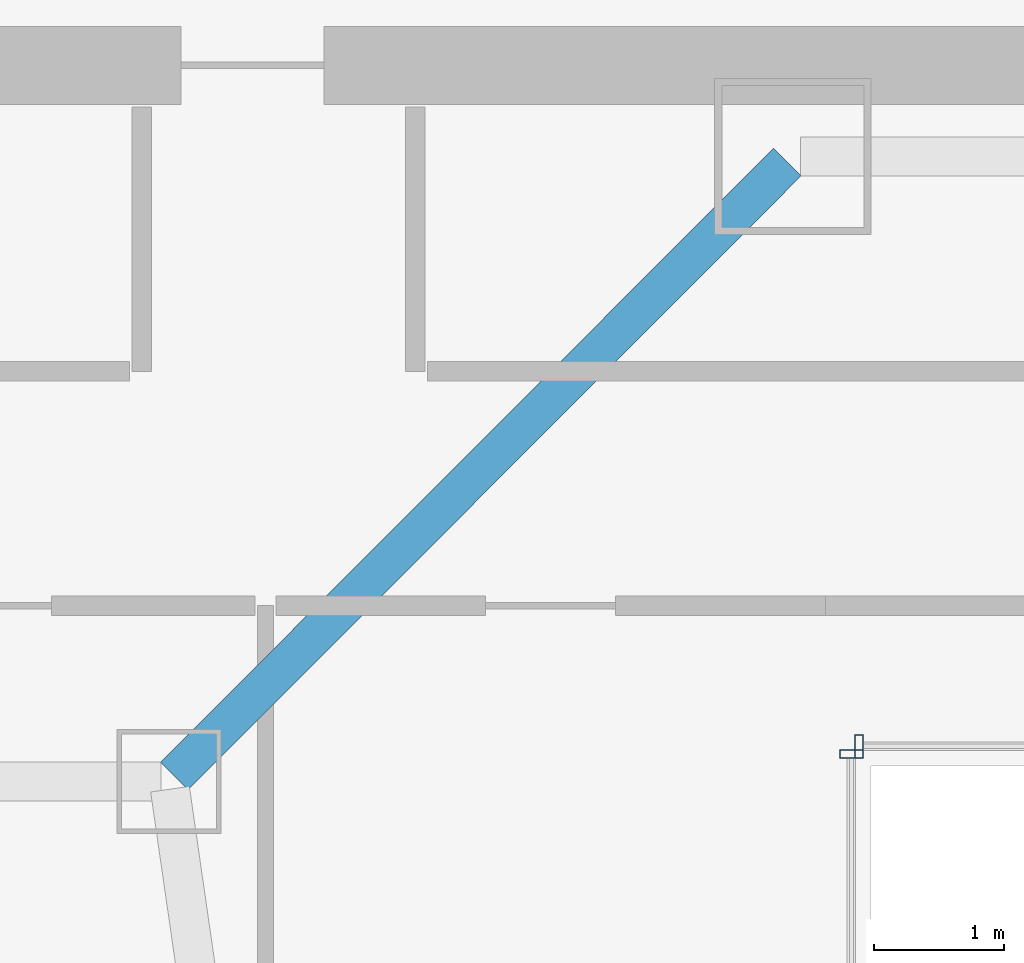
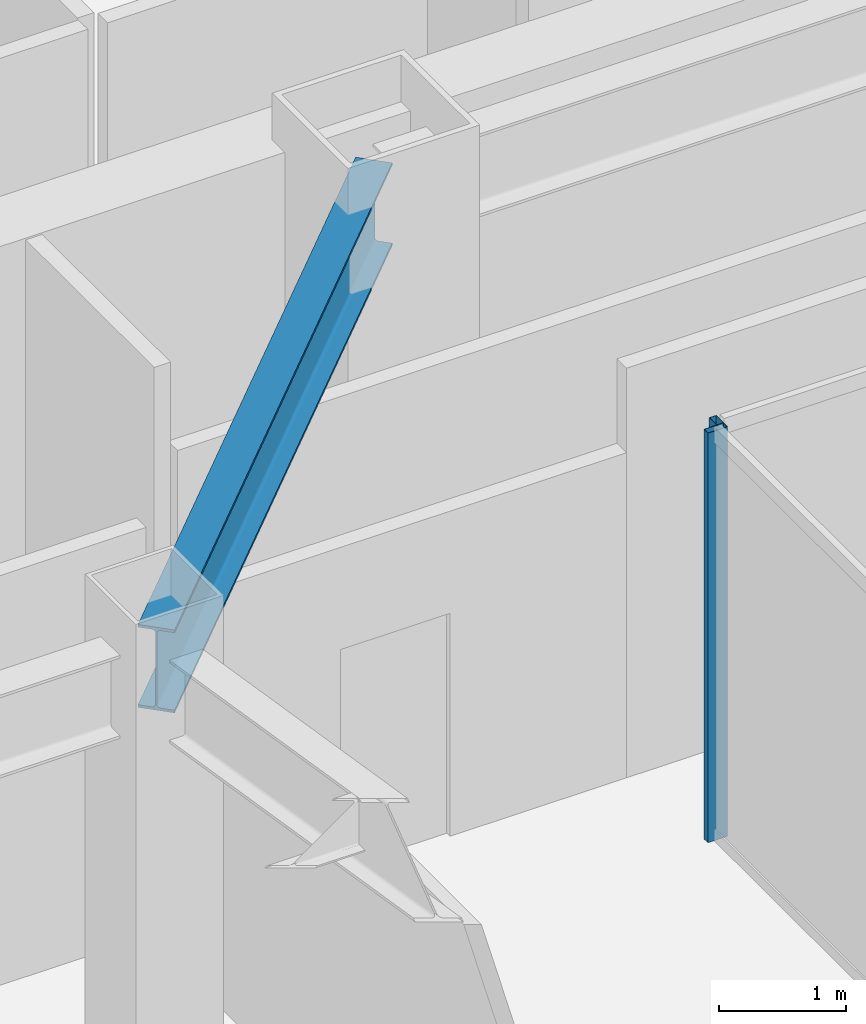
# One storey, part 24 of 47: 2 members, 1 beam, 2 elements without a shape of their own.
"""IFC4 building model written with IfcOpenShell, lengths in metres."""

from ifc_helpers import new_model, si_unit, direction, frame, origin, origin_2d, place, context, subcontext, project, spatial, hollow_rectangle, i_section, extrude, material, material_profile, profile_set, type_object, element, aggregate, save


model = new_model("IFC4")

# Units and contexts
model_context = context("Model", 3, precision=1e-05, world=origin(), true_north=direction((0.0, 1.0)))
body_context = subcontext(model_context, "Body", "Model", "MODEL_VIEW")
ifc_project = project(units=[si_unit("LENGTHUNIT", "METRE"), si_unit("AREAUNIT", "SQUARE_METRE"), si_unit("VOLUMEUNIT", "CUBIC_METRE"), si_unit("PLANEANGLEUNIT", "RADIAN"), si_unit("MASSUNIT", "GRAM", prefix="KILO")], contexts=[model_context])

# Site, building, storey
site_placement = place(None, origin())
site = spatial("IfcSite", under=ifc_project, at=site_placement, CompositionType="ELEMENT")
building_placement = place(site_placement, origin())
building = spatial("IfcBuilding", under=site, at=building_placement, Name="Saevonmaru Cultural Tower", CompositionType="ELEMENT")
storey_placement = place(building_placement, frame((0.0, 0.0, 82.39990234375)))
storey = spatial("IfcBuildingStorey", under=building, at=storey_placement, Name="L17", CompositionType="ELEMENT", Elevation=82.39990234375)

# Beam
ifc_material_1 = material(Name="Steel SM420", Category="steel")
ifc_material_profile_1 = material_profile(ifc_material_1, i_section(OverallWidth=0.300048828125, OverallDepth=0.800048828125, WebThickness=0.013916015625, FlangeThickness=0.02587890625, FilletRadius=0.028076171875, at=origin_2d()), Name="H-800x300x14x26")
ifc_profile_set_1 = profile_set([ifc_material_profile_1], Name="Steel SM420")
beam_type = type_object("IfcBeamType", Name="BM-G-H800", PredefinedType="BEAM", material=ifc_profile_set_1)
beam_placement = place(storey_placement, frame((18.850341796875, 37.642578125, 3.550048828125), z_axis=(0.706538566564, 0.707674539572, 0.0), x_axis=(-0.707674539572, 0.706538566564, 0.0)))
element("IfcBeam", 1, at=beam_placement, inside=storey, type_object=beam_type, Name="L17 West Atrium Girder 6", PredefinedType="BEAM", context=body_context, shape_type="SweptSolid", body=[
    extrude(i_section(OverallWidth=0.300048828125, OverallDepth=0.800048828125, WebThickness=0.013916015625, FlangeThickness=0.02587890625, FilletRadius=0.028076171875, at=origin_2d()), origin(), (0.0, 0.0, 1.0), 6.662353515625),
])

# Curtain wall, member
ifc_material_2 = material(Name="Satin Bronze Anodised Aluminium", Category="aluminium")
curtain_wall_type = type_object("IfcCurtainWallType", Name="CW-ATR-GLZ", PredefinedType="NOTDEFINED", material=ifc_material_2)
curtain_wall_1_placement = place(storey_placement, origin())
curtain_wall_1 = element("IfcCurtainWall", 2, at=curtain_wall_1_placement, inside=storey, type_object=curtain_wall_type, Name="L17 Vertical Atrium Glazed Smoke Screen 3", PredefinedType="NOTDEFINED")
ifc_material_profile_2 = material_profile(ifc_material_2, hollow_rectangle(XDim=0.06494140625, YDim=0.179931640625, WallThickness=0.00390625, at=origin_2d()), Name="ALU-MULL-180x65x4")
ifc_profile_set_2 = profile_set([ifc_material_profile_2], Name="Satin Bronze Anodised Aluminium")
member_type = type_object("IfcMemberType", Name="ML-CW-INT-180x65", PredefinedType="MULLION", material=ifc_profile_set_2)
member_1_placement = place(storey_placement, frame((24.110107421875, 37.8701171875, 0.0), z_axis=(0.0, 0.0, 1.0), x_axis=(-1.0, 0.0, 0.0)))
member_1 = element("IfcMember", 3, at=member_1_placement, type_object=member_type, Name="CW-ATR-L17-3 mullion 2", PredefinedType="MULLION", context=body_context, shape_type="SweptSolid", body=[
    extrude(hollow_rectangle(XDim=0.06494140625, YDim=0.179931640625, WallThickness=0.00390625, at=origin_2d()), origin(), (0.0, 0.0, 1.0), 3.9501953125),
])
aggregate(curtain_wall_1, [member_1])

curtain_wall_2_placement = place(storey_placement, origin())
curtain_wall_2 = element("IfcCurtainWall", 4, at=curtain_wall_2_placement, inside=storey, type_object=curtain_wall_type, Name="L17 Vertical Atrium Glazed Smoke Screen 4", PredefinedType="NOTDEFINED")
member_2_placement = place(storey_placement, frame((24.050048828125, 37.81005859375, 0.0), z_axis=(0.0, 0.0, 1.0), x_axis=(0.0, -1.0, 0.0)))
member_2 = element("IfcMember", 5, at=member_2_placement, type_object=member_type, Name="CW-ATR-L17-4 mullion 1", PredefinedType="MULLION", context=body_context, shape_type="SweptSolid", body=[
    extrude(hollow_rectangle(XDim=0.06494140625, YDim=0.179931640625, WallThickness=0.00390625, at=origin_2d()), origin(), (0.0, 0.0, 1.0), 3.9501953125),
])
aggregate(curtain_wall_2, [member_2])

save(model, "model.ifc")
